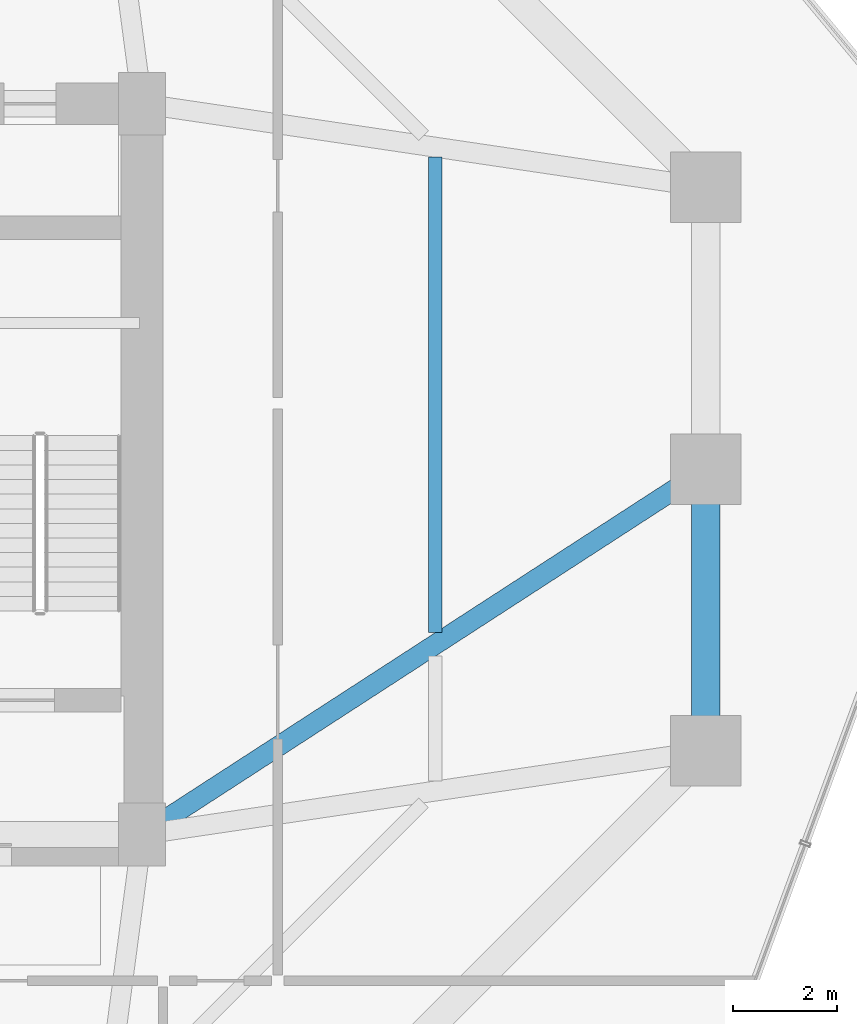
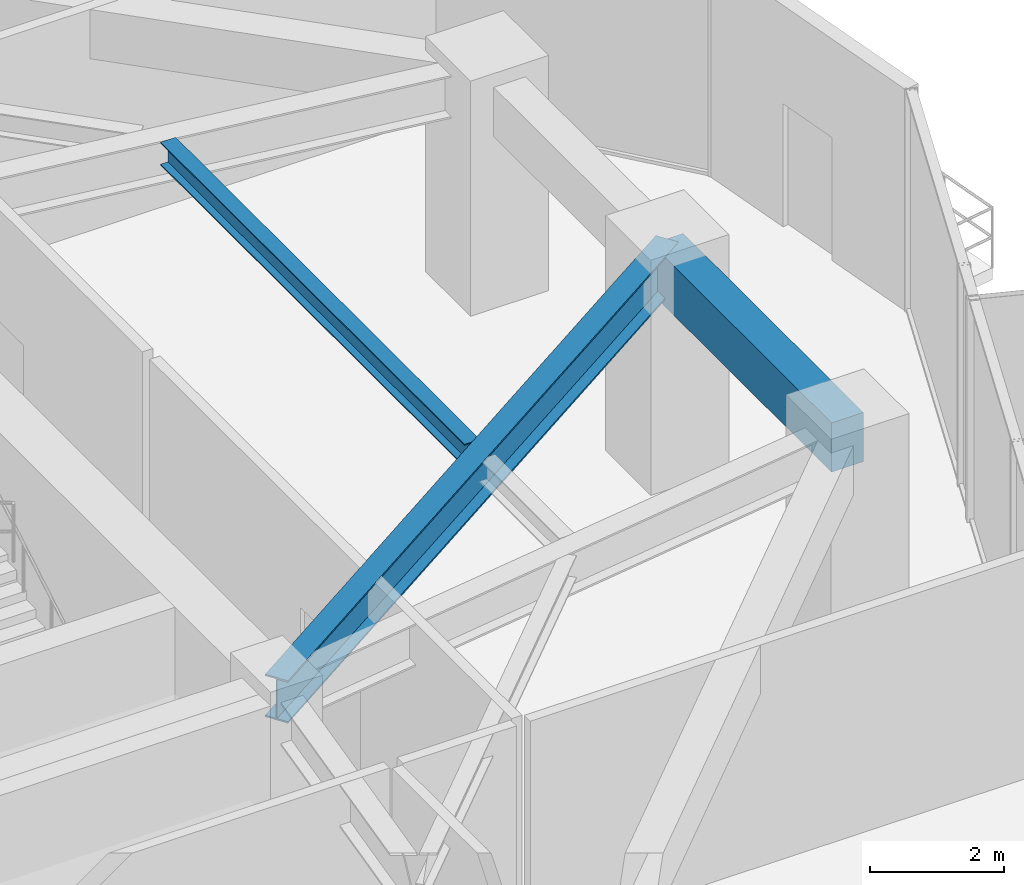
# One storey, part 16 of 35: 3 beams.
"""IFC4 building model written with IfcOpenShell, lengths in metres."""

from ifc_helpers import new_model, si_unit, direction, frame, origin, origin_2d, place, context, subcontext, project, spatial, rectangle, i_section, extrude, material, material_profile, profile_set, type_object, element, save


model = new_model("IFC4")

# Units and contexts
model_context = context("Model", 3, precision=1e-05, world=origin(), true_north=direction((0.0, 1.0)))
body_context = subcontext(model_context, "Body", "Model", "MODEL_VIEW")
ifc_project = project(units=[si_unit("LENGTHUNIT", "METRE"), si_unit("AREAUNIT", "SQUARE_METRE"), si_unit("VOLUMEUNIT", "CUBIC_METRE"), si_unit("PLANEANGLEUNIT", "RADIAN"), si_unit("MASSUNIT", "GRAM", prefix="KILO")], contexts=[model_context])

# Site, building, storey
site_placement = place(None, origin())
site = spatial("IfcSite", under=ifc_project, at=site_placement, CompositionType="ELEMENT")
building_placement = place(site_placement, origin())
building = spatial("IfcBuilding", under=site, at=building_placement, Name="Veraguas Prism Commons", CompositionType="ELEMENT")
storey_placement = place(building_placement, frame((0.0, 0.0, 56.550048828125)))
storey = spatial("IfcBuildingStorey", under=building, at=storey_placement, Name="L15", CompositionType="ELEMENT", Elevation=56.550048828125)

# Beams
ifc_material_1 = material(Name="Steel ASTM A992 Grade 50", Category="steel")
ifc_material_profile_1 = material_profile(ifc_material_1, i_section(OverallWidth=0.382080078125, OverallDepth=0.779052734375, WebThickness=0.01806640625, FlangeThickness=0.030029296875, at=origin_2d()), Name="W760X284")
ifc_profile_set_1 = profile_set([ifc_material_profile_1], Name="Steel ASTM A992 Grade 50")
beam_type_1 = type_object("IfcBeamType", Name="Assembly Primary Girder W760x284", PredefinedType="BEAM", material=ifc_profile_set_1)
beam_1_placement = place(storey_placement, frame((41.60009765625, 24.0, 3.660400390625), z_axis=(-0.839154108875, -0.543893722668, 0.0), x_axis=(0.543893722668, -0.839154108875, 0.0)))
element("IfcBeam", 1, at=beam_1_placement, inside=storey, type_object=beam_type_1, Name="Radial Floor Girder L15-RD02", PredefinedType="BEAM", context=body_context, shape_type="SweptSolid", body=[
    extrude(i_section(OverallWidth=0.382080078125, OverallDepth=0.779052734375, WebThickness=0.01806640625, FlangeThickness=0.030029296875, at=origin_2d()), origin(), (0.0, 0.0, 1.0), 12.8701171875),
])
ifc_material_profile_2 = material_profile(ifc_material_1, i_section(OverallWidth=0.260986328125, OverallDepth=0.419921875, WebThickness=0.01171875, FlangeThickness=0.019287109375, at=origin_2d()), Name="W410X114")
ifc_profile_set_2 = profile_set([ifc_material_profile_2], Name="Steel ASTM A992 Grade 50")
beam_type_2 = type_object("IfcBeamType", Name="Lower Floor Joist W410x114", PredefinedType="JOIST", material=ifc_profile_set_2)
beam_2_placement = place(storey_placement, frame((36.416015625, 20.865234375, 3.83984375), z_axis=(0.0, 1.0, 0.0), x_axis=(-1.0, 0.0, 0.0)))
element("IfcBeam", 2, at=beam_2_placement, inside=storey, type_object=beam_type_2, Name="Composite Floor Joist L15-JS02", PredefinedType="JOIST", context=body_context, shape_type="SweptSolid", body=[
    extrude(i_section(OverallWidth=0.260986328125, OverallDepth=0.419921875, WebThickness=0.01171875, FlangeThickness=0.019287109375, at=origin_2d()), origin(), (0.0, 0.0, 1.0), 9.111572265625),
])
ifc_material_2 = material(Name="Concrete C50/60", Category="concrete")
ifc_material_profile_3 = material_profile(ifc_material_2, rectangle(XDim=0.550048828125, YDim=0.89990234375, at=origin_2d()), Name="RC550X900")
ifc_profile_set_3 = profile_set([ifc_material_profile_3], Name="Concrete C50/60")
beam_type_3 = type_object("IfcBeamType", Name="Perimeter Spandrel Lower RC 550x900", PredefinedType="SPANDREL", material=ifc_profile_set_3)
beam_3_placement = place(storey_placement, frame((41.60009765625, 18.60009765625, 3.599853515625), z_axis=(0.0, 1.0, 0.0), x_axis=(-1.0, 0.0, 0.0)))
element("IfcBeam", 3, at=beam_3_placement, inside=storey, type_object=beam_type_3, Name="Perimeter Spandrel Beam L15-SP01", PredefinedType="SPANDREL", context=body_context, shape_type="SweptSolid", body=[
    extrude(rectangle(XDim=0.550048828125, YDim=0.89990234375, at=origin_2d()), origin(), (0.0, 0.0, 1.0), 5.39990234375),
])

save(model, "model.ifc")
